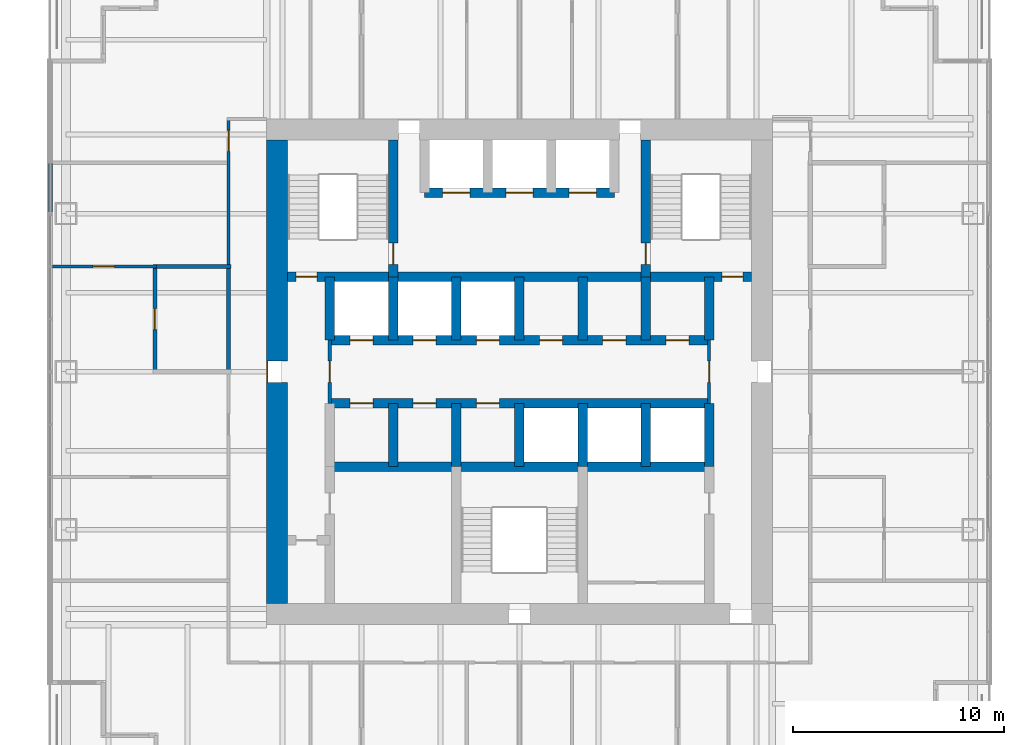
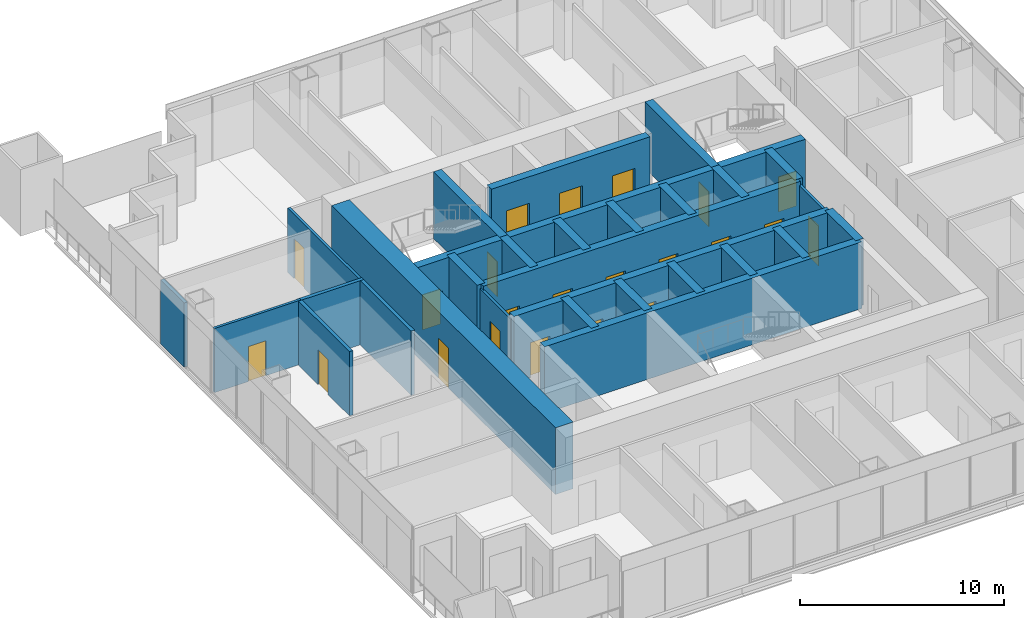
# One storey, part 9 of 13: 29 walls, 22 doors, 22 openings.
"""IFC4 building model written with IfcOpenShell, lengths in metres."""

from ifc_helpers import new_model, si_unit, direction, frame, frame_2d, origin, place, context, subcontext, project, spatial, rectangle, extrude, material, layer, layer_set, type_object, element, fill, save


model = new_model("IFC4")

# Units and contexts
model_context = context("Model", 3, precision=1e-05, world=origin(), true_north=direction((0.0, 1.0)))
body_context = subcontext(model_context, "Body", "Model", "MODEL_VIEW")
ifc_project = project(units=[si_unit("LENGTHUNIT", "METRE"), si_unit("AREAUNIT", "SQUARE_METRE"), si_unit("VOLUMEUNIT", "CUBIC_METRE"), si_unit("PLANEANGLEUNIT", "RADIAN"), si_unit("MASSUNIT", "GRAM", prefix="KILO")], contexts=[model_context])

# Site, building, storey
site_placement = place(None, origin())
site = spatial("IfcSite", under=ifc_project, at=site_placement, CompositionType="ELEMENT")
building_placement = place(site_placement, origin())
building = spatial("IfcBuilding", under=site, at=building_placement, Name="Tarangal Relay Tower", CompositionType="ELEMENT")
storey_placement = place(building_placement, frame((0.0, 0.0, 185.89990234375)))
storey = spatial("IfcBuildingStorey", under=building, at=storey_placement, Name="L38", CompositionType="ELEMENT", Elevation=185.89990234375)

# Wall
ifc_material_1 = material(Name="Two layers gypsum board each side on twin steel studs, mineral wool", Category="steel")
ifc_layer_1 = layer(ifc_material_1, 0.199951171875)
ifc_layer_set_1 = layer_set([ifc_layer_1], Name="Acoustic partition 200")
wall_type_1 = type_object("IfcWallType", Name="Acoustic partition 200", PredefinedType="PARTITIONING", material=ifc_layer_set_1)
wall_1_placement = place(storey_placement, frame((-17.39990234375, 5.0, 0.0), z_axis=(0.0, 0.0, 1.0), x_axis=(1.0, 0.0, 0.0)))
element("IfcWall", 1, at=wall_1_placement, inside=storey, type_object=wall_type_1, Name="Partition PT2 L38", PredefinedType="PARTITIONING", context=body_context, shape_type="SweptSolid", body=[
    extrude(rectangle(XDim=3.699951171875, YDim=0.199951171875, at=frame_2d((1.85009765625, 0.0))), origin(), (0.0, 0.0, 1.0), 3.85009765625),
])

# Wall, opening, door
wall_2_placement = place(storey_placement, frame((-17.300048828125, -0.10009765625, 0.0), z_axis=(0.0, 0.0, 1.0), x_axis=(0.0, 1.0, 0.0)))
wall_2 = element("IfcWall", 2, at=wall_2_placement, inside=storey, type_object=wall_type_1, Name="Partition PT2 L38", PredefinedType="PARTITIONING", context=body_context, shape_type="SweptSolid", body=[
    extrude(rectangle(XDim=5.2001953125, YDim=0.199951171875, at=frame_2d((2.60009765625, 0.0))), origin(), (0.0, 0.0, 1.0), 3.85009765625),
])
opening_1_placement = place(wall_2_placement, frame((2.10009765625, 0.0, 0.0)))
opening_1 = element("IfcOpeningElement", 3, at=opening_1_placement, cuts=wall_2, Name="Opening D2", PredefinedType="OPENING", context=body_context, shape_type="SweptSolid", body=[
    extrude(rectangle(XDim=1.0, YDim=2.10009765625, at=frame_2d((0.5, 1.050048828125))), frame((0.0, 0.10986328125, 0.0), z_axis=(0.0, -1.0, 0.0), x_axis=(1.0, 0.0, 0.0)), (0.0, 0.0, 1.0), 0.219970703125),
])
ifc_material_2 = material(Name="Hardwood door", Category="wood")
door_type_1 = type_object("IfcDoorType", Name="Door 1000 x 2100", OperationType="SINGLE_SWING_LEFT", PredefinedType="DOOR", material=ifc_material_2)
door_1_placement = place(opening_1_placement, origin())
door_1 = element("IfcDoor", 4, at=door_1_placement, inside=storey, type_object=door_type_1, Name="Door D2 to meeting room L38-20", OperationType="SINGLE_SWING_LEFT", OverallHeight=2.10009765625, OverallWidth=1.0, PredefinedType="DOOR", context=body_context, shape_type="SweptSolid", body=[
    extrude(rectangle(XDim=1.0, YDim=2.10009765625, at=frame_2d((0.5, 1.050048828125))), frame((0.0, 0.02490234375, 0.0), z_axis=(0.0, -1.0, 0.0), x_axis=(1.0, 0.0, 0.0)), (0.0, 0.0, 1.0), 0.050048828125),
])
fill(opening_1, door_1)

# Wall
wall_3_placement = place(storey_placement, frame((-13.800048828125, -0.10009765625, 0.0), z_axis=(0.0, 0.0, 1.0), x_axis=(0.0, 1.0, 0.0)))
element("IfcWall", 5, at=wall_3_placement, inside=storey, type_object=wall_type_1, Name="Partition PT2 L38", PredefinedType="PARTITIONING", context=body_context, shape_type="SweptSolid", body=[
    extrude(rectangle(XDim=5.2001953125, YDim=0.199951171875, at=frame_2d((2.60009765625, 0.0))), origin(), (0.0, 0.0, 1.0), 3.85009765625),
])

# Wall, openings, doors
ifc_material_3 = material(Name="Concrete fc' 60 MPa", Category="concrete")
ifc_layer_2 = layer(ifc_material_3, 0.449951171875)
ifc_layer_set_2 = layer_set([ifc_layer_2], Name="Core inner wall 450")
wall_type_2 = type_object("IfcWallType", Name="Core inner wall 450", PredefinedType="SHEAR", material=ifc_layer_set_2)
wall_4_placement = place(storey_placement, frame((-11.0, 4.5, 0.0), z_axis=(0.0, 0.0, 1.0), x_axis=(1.0, 0.0, 0.0)))
wall_4 = element("IfcWall", 6, at=wall_4_placement, inside=storey, type_object=wall_type_2, Name="Core wall Y45 L38", PredefinedType="SHEAR", context=body_context, shape_type="SweptSolid", body=[
    extrude(rectangle(XDim=22.0, YDim=0.449951171875, at=frame_2d((11.0, 0.0))), origin(), (0.0, 0.0, 1.0), 4.0),
])
opening_2_placement = place(wall_4_placement, frame((0.39990234375, 0.0, 0.0)))
opening_2 = element("IfcOpeningElement", 7, at=opening_2_placement, cuts=wall_4, Name="Opening FD1", PredefinedType="OPENING", context=body_context, shape_type="SweptSolid", body=[
    extrude(rectangle(XDim=1.0, YDim=2.10009765625, at=frame_2d((0.5, 1.050048828125))), frame((0.0, 0.23486328125, 0.0), z_axis=(0.0, -1.0, 0.0), x_axis=(1.0, 0.0, 0.0)), (0.0, 0.0, 1.0), 0.469970703125),
])
opening_3_placement = place(wall_4_placement, frame((20.60009765625, 0.0, 0.0)))
opening_3 = element("IfcOpeningElement", 8, at=opening_3_placement, cuts=wall_4, Name="Opening FD1", PredefinedType="OPENING", context=body_context, shape_type="SweptSolid", body=[
    extrude(rectangle(XDim=1.0, YDim=2.10009765625, at=frame_2d((0.5, 1.050048828125))), frame((0.0, 0.23486328125, 0.0), z_axis=(0.0, -1.0, 0.0), x_axis=(1.0, 0.0, 0.0)), (0.0, 0.0, 1.0), 0.469970703125),
])
ifc_material_4 = material(Name="Steel door with hardwood frame", Category="steel")
door_type_2 = type_object("IfcDoorType", Name="Fire door 1000 x 2100", OperationType="SINGLE_SWING_LEFT", PredefinedType="DOOR", material=ifc_material_4)
door_2_placement = place(opening_2_placement, origin())
door_2 = element("IfcDoor", 9, at=door_2_placement, inside=storey, type_object=door_type_2, Name="Stair ST-A door from corridor L38", OperationType="SINGLE_SWING_LEFT", OverallHeight=2.10009765625, OverallWidth=1.0, PredefinedType="DOOR", context=body_context, shape_type="SweptSolid", body=[
    extrude(rectangle(XDim=1.0, YDim=2.10009765625, at=frame_2d((0.5, 1.050048828125))), frame((0.0, 0.02490234375, 0.0), z_axis=(0.0, -1.0, 0.0), x_axis=(1.0, 0.0, 0.0)), (0.0, 0.0, 1.0), 0.050048828125),
])
fill(opening_2, door_2)
door_3_placement = place(opening_3_placement, origin())
door_3 = element("IfcDoor", 10, at=door_3_placement, inside=storey, type_object=door_type_2, Name="Stair ST-B door from corridor L38", OperationType="SINGLE_SWING_LEFT", OverallHeight=2.10009765625, OverallWidth=1.0, PredefinedType="DOOR", context=body_context, shape_type="SweptSolid", body=[
    extrude(rectangle(XDim=1.0, YDim=2.10009765625, at=frame_2d((0.5, 1.050048828125))), frame((0.0, 0.02490234375, 0.0), z_axis=(0.0, -1.0, 0.0), x_axis=(1.0, 0.0, 0.0)), (0.0, 0.0, 1.0), 0.050048828125),
])
fill(opening_3, door_3)

wall_5_placement = place(storey_placement, frame((-9.0, 1.5, 0.0), z_axis=(0.0, 0.0, 1.0), x_axis=(1.0, 0.0, 0.0)))
wall_5 = element("IfcWall", 11, at=wall_5_placement, inside=storey, type_object=wall_type_2, Name="Core wall Y15 L38", PredefinedType="SHEAR", context=body_context, shape_type="SweptSolid", body=[
    extrude(rectangle(XDim=18.0, YDim=0.449951171875, at=frame_2d((9.0, 0.0))), origin(), (0.0, 0.0, 1.0), 4.0),
])
opening_4_placement = place(wall_5_placement, frame((0.949951171875, 0.0, 0.0)))
opening_4 = element("IfcOpeningElement", 12, at=opening_4_placement, cuts=wall_5, Name="Opening LD1", PredefinedType="OPENING", context=body_context, shape_type="SweptSolid", body=[
    extrude(rectangle(XDim=1.10009765625, YDim=2.10009765625, at=frame_2d((0.550048828125, 1.050048828125))), frame((0.0, 0.23486328125, 0.0), z_axis=(0.0, -1.0, 0.0), x_axis=(1.0, 0.0, 0.0)), (0.0, 0.0, 1.0), 0.469970703125),
])
opening_5_placement = place(wall_5_placement, frame((3.949951171875, 0.0, 0.0)))
opening_5 = element("IfcOpeningElement", 13, at=opening_5_placement, cuts=wall_5, Name="Opening LD1", PredefinedType="OPENING", context=body_context, shape_type="SweptSolid", body=[
    extrude(rectangle(XDim=1.10009765625, YDim=2.10009765625, at=frame_2d((0.550048828125, 1.050048828125))), frame((0.0, 0.23486328125, 0.0), z_axis=(0.0, -1.0, 0.0), x_axis=(1.0, 0.0, 0.0)), (0.0, 0.0, 1.0), 0.469970703125),
])
opening_6_placement = place(wall_5_placement, frame((6.949951171875, 0.0, 0.0)))
opening_6 = element("IfcOpeningElement", 14, at=opening_6_placement, cuts=wall_5, Name="Opening LD1", PredefinedType="OPENING", context=body_context, shape_type="SweptSolid", body=[
    extrude(rectangle(XDim=1.10009765625, YDim=2.10009765625, at=frame_2d((0.550048828125, 1.050048828125))), frame((0.0, 0.23486328125, 0.0), z_axis=(0.0, -1.0, 0.0), x_axis=(1.0, 0.0, 0.0)), (0.0, 0.0, 1.0), 0.469970703125),
])
opening_7_placement = place(wall_5_placement, frame((9.949951171875, 0.0, 0.0)))
opening_7 = element("IfcOpeningElement", 15, at=opening_7_placement, cuts=wall_5, Name="Opening D4", PredefinedType="OPENING", context=body_context, shape_type="SweptSolid", body=[
    extrude(rectangle(XDim=1.10009765625, YDim=2.10009765625, at=frame_2d((0.550048828125, 1.050048828125))), frame((0.0, 0.23486328125, 0.0), z_axis=(0.0, -1.0, 0.0), x_axis=(1.0, 0.0, 0.0)), (0.0, 0.0, 1.0), 0.469970703125),
])
opening_8_placement = place(wall_5_placement, frame((12.949951171875, 0.0, 0.0)))
opening_8 = element("IfcOpeningElement", 16, at=opening_8_placement, cuts=wall_5, Name="Opening D4", PredefinedType="OPENING", context=body_context, shape_type="SweptSolid", body=[
    extrude(rectangle(XDim=1.10009765625, YDim=2.10009765625, at=frame_2d((0.550048828125, 1.050048828125))), frame((0.0, 0.23486328125, 0.0), z_axis=(0.0, -1.0, 0.0), x_axis=(1.0, 0.0, 0.0)), (0.0, 0.0, 1.0), 0.469970703125),
])
opening_9_placement = place(wall_5_placement, frame((15.949951171875, 0.0, 0.0)))
opening_9 = element("IfcOpeningElement", 17, at=opening_9_placement, cuts=wall_5, Name="Opening D4", PredefinedType="OPENING", context=body_context, shape_type="SweptSolid", body=[
    extrude(rectangle(XDim=1.10009765625, YDim=2.10009765625, at=frame_2d((0.550048828125, 1.050048828125))), frame((0.0, 0.23486328125, 0.0), z_axis=(0.0, -1.0, 0.0), x_axis=(1.0, 0.0, 0.0)), (0.0, 0.0, 1.0), 0.469970703125),
])
door_type_3 = type_object("IfcDoorType", Name="Core room door 1100 x 2100", OperationType="SINGLE_SWING_RIGHT", PredefinedType="DOOR", material=ifc_material_4)
door_4_placement = place(opening_7_placement, origin())
door_4 = element("IfcDoor", 18, at=door_4_placement, inside=storey, type_object=door_type_3, Name="Door D4 to staff pantry L38-T1", OperationType="SINGLE_SWING_RIGHT", OverallHeight=2.10009765625, OverallWidth=1.10009765625, PredefinedType="DOOR", context=body_context, shape_type="SweptSolid", body=[
    extrude(rectangle(XDim=1.10009765625, YDim=2.10009765625, at=frame_2d((0.550048828125, 1.050048828125))), frame((0.0, 0.02490234375, 0.0), z_axis=(0.0, -1.0, 0.0), x_axis=(1.0, 0.0, 0.0)), (0.0, 0.0, 1.0), 0.050048828125),
])
fill(opening_7, door_4)
door_5_placement = place(opening_8_placement, origin())
door_5 = element("IfcDoor", 19, at=door_5_placement, inside=storey, type_object=door_type_3, Name="Door D4 to it room L38-T2", OperationType="SINGLE_SWING_RIGHT", OverallHeight=2.10009765625, OverallWidth=1.10009765625, PredefinedType="DOOR", context=body_context, shape_type="SweptSolid", body=[
    extrude(rectangle(XDim=1.10009765625, YDim=2.10009765625, at=frame_2d((0.550048828125, 1.050048828125))), frame((0.0, 0.02490234375, 0.0), z_axis=(0.0, -1.0, 0.0), x_axis=(1.0, 0.0, 0.0)), (0.0, 0.0, 1.0), 0.050048828125),
])
fill(opening_8, door_5)
door_6_placement = place(opening_9_placement, origin())
door_6 = element("IfcDoor", 20, at=door_6_placement, inside=storey, type_object=door_type_3, Name="Door D4 to cleaner's store L38-T3", OperationType="SINGLE_SWING_RIGHT", OverallHeight=2.10009765625, OverallWidth=1.10009765625, PredefinedType="DOOR", context=body_context, shape_type="SweptSolid", body=[
    extrude(rectangle(XDim=1.10009765625, YDim=2.10009765625, at=frame_2d((0.550048828125, 1.050048828125))), frame((0.0, 0.02490234375, 0.0), z_axis=(0.0, -1.0, 0.0), x_axis=(1.0, 0.0, 0.0)), (0.0, 0.0, 1.0), 0.050048828125),
])
fill(opening_9, door_6)
door_type_4 = type_object("IfcDoorType", Name="Lift landing door 1100 x 2100", OperationType="SLIDING_TO_LEFT", PredefinedType="DOOR", material=ifc_material_4)
door_7_placement = place(opening_4_placement, origin())
door_7 = element("IfcDoor", 21, at=door_7_placement, inside=storey, type_object=door_type_4, Name="Lift OL1 landing door L38", OperationType="SLIDING_TO_LEFT", OverallHeight=2.10009765625, OverallWidth=1.10009765625, PredefinedType="DOOR", context=body_context, shape_type="SweptSolid", body=[
    extrude(rectangle(XDim=1.10009765625, YDim=2.10009765625, at=frame_2d((0.550048828125, 1.050048828125))), frame((0.0, 0.02490234375, 0.0), z_axis=(0.0, -1.0, 0.0), x_axis=(1.0, 0.0, 0.0)), (0.0, 0.0, 1.0), 0.050048828125),
])
fill(opening_4, door_7)
door_8_placement = place(opening_5_placement, origin())
door_8 = element("IfcDoor", 22, at=door_8_placement, inside=storey, type_object=door_type_4, Name="Lift OL2 landing door L38", OperationType="SLIDING_TO_LEFT", OverallHeight=2.10009765625, OverallWidth=1.10009765625, PredefinedType="DOOR", context=body_context, shape_type="SweptSolid", body=[
    extrude(rectangle(XDim=1.10009765625, YDim=2.10009765625, at=frame_2d((0.550048828125, 1.050048828125))), frame((0.0, 0.02490234375, 0.0), z_axis=(0.0, -1.0, 0.0), x_axis=(1.0, 0.0, 0.0)), (0.0, 0.0, 1.0), 0.050048828125),
])
fill(opening_5, door_8)
door_9_placement = place(opening_6_placement, origin())
door_9 = element("IfcDoor", 23, at=door_9_placement, inside=storey, type_object=door_type_4, Name="Lift OL3 landing door L38", OperationType="SLIDING_TO_LEFT", OverallHeight=2.10009765625, OverallWidth=1.10009765625, PredefinedType="DOOR", context=body_context, shape_type="SweptSolid", body=[
    extrude(rectangle(XDim=1.10009765625, YDim=2.10009765625, at=frame_2d((0.550048828125, 1.050048828125))), frame((0.0, 0.02490234375, 0.0), z_axis=(0.0, -1.0, 0.0), x_axis=(1.0, 0.0, 0.0)), (0.0, 0.0, 1.0), 0.050048828125),
])
fill(opening_6, door_9)

wall_6_placement = place(storey_placement, frame((-9.0, -1.5, 0.0), z_axis=(0.0, 0.0, 1.0), x_axis=(1.0, 0.0, 0.0)))
wall_6 = element("IfcWall", 24, at=wall_6_placement, inside=storey, type_object=wall_type_2, Name="Core wall YM15 L38", PredefinedType="SHEAR", context=body_context, shape_type="SweptSolid", body=[
    extrude(rectangle(XDim=18.0, YDim=0.449951171875, at=frame_2d((9.0, 0.0))), origin(), (0.0, 0.0, 1.0), 4.0),
])
opening_10_placement = place(wall_6_placement, frame((0.949951171875, 0.0, 0.0)))
opening_10 = element("IfcOpeningElement", 25, at=opening_10_placement, cuts=wall_6, Name="Opening D4", PredefinedType="OPENING", context=body_context, shape_type="SweptSolid", body=[
    extrude(rectangle(XDim=1.10009765625, YDim=2.10009765625, at=frame_2d((0.550048828125, 1.050048828125))), frame((0.0, 0.23486328125, 0.0), z_axis=(0.0, -1.0, 0.0), x_axis=(1.0, 0.0, 0.0)), (0.0, 0.0, 1.0), 0.469970703125),
])
opening_11_placement = place(wall_6_placement, frame((3.949951171875, 0.0, 0.0)))
opening_11 = element("IfcOpeningElement", 26, at=opening_11_placement, cuts=wall_6, Name="Opening D4", PredefinedType="OPENING", context=body_context, shape_type="SweptSolid", body=[
    extrude(rectangle(XDim=1.10009765625, YDim=2.10009765625, at=frame_2d((0.550048828125, 1.050048828125))), frame((0.0, 0.23486328125, 0.0), z_axis=(0.0, -1.0, 0.0), x_axis=(1.0, 0.0, 0.0)), (0.0, 0.0, 1.0), 0.469970703125),
])
opening_12_placement = place(wall_6_placement, frame((6.949951171875, 0.0, 0.0)))
opening_12 = element("IfcOpeningElement", 27, at=opening_12_placement, cuts=wall_6, Name="Opening D4", PredefinedType="OPENING", context=body_context, shape_type="SweptSolid", body=[
    extrude(rectangle(XDim=1.10009765625, YDim=2.10009765625, at=frame_2d((0.550048828125, 1.050048828125))), frame((0.0, 0.23486328125, 0.0), z_axis=(0.0, -1.0, 0.0), x_axis=(1.0, 0.0, 0.0)), (0.0, 0.0, 1.0), 0.469970703125),
])
door_10_placement = place(opening_10_placement, origin())
door_10 = element("IfcDoor", 28, at=door_10_placement, inside=storey, type_object=door_type_3, Name="Door D4 to staff wc L38-S1", OperationType="SINGLE_SWING_RIGHT", OverallHeight=2.10009765625, OverallWidth=1.10009765625, PredefinedType="DOOR", context=body_context, shape_type="SweptSolid", body=[
    extrude(rectangle(XDim=1.10009765625, YDim=2.10009765625, at=frame_2d((0.550048828125, 1.050048828125))), frame((0.0, 0.02490234375, 0.0), z_axis=(0.0, -1.0, 0.0), x_axis=(1.0, 0.0, 0.0)), (0.0, 0.0, 1.0), 0.050048828125),
])
fill(opening_10, door_10)
door_11_placement = place(opening_11_placement, origin())
door_11 = element("IfcDoor", 29, at=door_11_placement, inside=storey, type_object=door_type_3, Name="Door D4 to staff pantry L38-S2", OperationType="SINGLE_SWING_RIGHT", OverallHeight=2.10009765625, OverallWidth=1.10009765625, PredefinedType="DOOR", context=body_context, shape_type="SweptSolid", body=[
    extrude(rectangle(XDim=1.10009765625, YDim=2.10009765625, at=frame_2d((0.550048828125, 1.050048828125))), frame((0.0, 0.02490234375, 0.0), z_axis=(0.0, -1.0, 0.0), x_axis=(1.0, 0.0, 0.0)), (0.0, 0.0, 1.0), 0.050048828125),
])
fill(opening_11, door_11)
door_12_placement = place(opening_12_placement, origin())
door_12 = element("IfcDoor", 30, at=door_12_placement, inside=storey, type_object=door_type_3, Name="Door D4 to it room L38-S3", OperationType="SINGLE_SWING_RIGHT", OverallHeight=2.10009765625, OverallWidth=1.10009765625, PredefinedType="DOOR", context=body_context, shape_type="SweptSolid", body=[
    extrude(rectangle(XDim=1.10009765625, YDim=2.10009765625, at=frame_2d((0.550048828125, 1.050048828125))), frame((0.0, 0.02490234375, 0.0), z_axis=(0.0, -1.0, 0.0), x_axis=(1.0, 0.0, 0.0)), (0.0, 0.0, 1.0), 0.050048828125),
])
fill(opening_12, door_12)

# Wall
wall_7_placement = place(storey_placement, frame((-9.0, -4.5, 0.0), z_axis=(0.0, 0.0, 1.0), x_axis=(1.0, 0.0, 0.0)))
element("IfcWall", 31, at=wall_7_placement, inside=storey, type_object=wall_type_2, Name="Core wall YM45 L38", PredefinedType="SHEAR", context=body_context, shape_type="SweptSolid", body=[
    extrude(rectangle(XDim=18.0, YDim=0.449951171875, at=frame_2d((9.0, 0.0))), origin(), (0.0, 0.0, 1.0), 4.0),
])

# Wall, openings, doors
wall_8_placement = place(storey_placement, frame((-4.5, 8.5, 0.0), z_axis=(0.0, 0.0, 1.0), x_axis=(1.0, 0.0, 0.0)))
wall_8 = element("IfcWall", 32, at=wall_8_placement, inside=storey, type_object=wall_type_2, Name="Core wall Y85 L38", PredefinedType="SHEAR", context=body_context, shape_type="SweptSolid", body=[
    extrude(rectangle(XDim=9.0, YDim=0.449951171875, at=frame_2d((4.5, 0.0))), origin(), (0.0, 0.0, 1.0), 4.0),
])
opening_13_placement = place(wall_8_placement, frame((0.85009765625, 0.0, 0.0)))
opening_13 = element("IfcOpeningElement", 33, at=opening_13_placement, cuts=wall_8, Name="Opening LD2", PredefinedType="OPENING", context=body_context, shape_type="SweptSolid", body=[
    extrude(rectangle(XDim=1.300048828125, YDim=2.39990234375, at=frame_2d((0.64990234375, 1.199951171875))), frame((0.0, 0.23486328125, 0.0), z_axis=(0.0, -1.0, 0.0), x_axis=(1.0, 0.0, 0.0)), (0.0, 0.0, 1.0), 0.469970703125),
])
opening_14_placement = place(wall_8_placement, frame((6.85009765625, 0.0, 0.0)))
opening_14 = element("IfcOpeningElement", 34, at=opening_14_placement, cuts=wall_8, Name="Opening LD2", PredefinedType="OPENING", context=body_context, shape_type="SweptSolid", body=[
    extrude(rectangle(XDim=1.300048828125, YDim=2.39990234375, at=frame_2d((0.64990234375, 1.199951171875))), frame((0.0, 0.23486328125, 0.0), z_axis=(0.0, -1.0, 0.0), x_axis=(1.0, 0.0, 0.0)), (0.0, 0.0, 1.0), 0.469970703125),
])
opening_15_placement = place(wall_8_placement, frame((3.85009765625, 0.0, 0.0)))
opening_15 = element("IfcOpeningElement", 35, at=opening_15_placement, cuts=wall_8, Name="Opening LD2", PredefinedType="OPENING", context=body_context, shape_type="SweptSolid", body=[
    extrude(rectangle(XDim=1.300048828125, YDim=2.39990234375, at=frame_2d((0.64990234375, 1.199951171875))), frame((0.0, 0.23486328125, 0.0), z_axis=(0.0, -1.0, 0.0), x_axis=(1.0, 0.0, 0.0)), (0.0, 0.0, 1.0), 0.469970703125),
])
door_type_5 = type_object("IfcDoorType", Name="Lift landing door 1300 x 2400", OperationType="SLIDING_TO_LEFT", PredefinedType="DOOR", material=ifc_material_4)
door_13_placement = place(opening_13_placement, origin())
door_13 = element("IfcDoor", 36, at=door_13_placement, inside=storey, type_object=door_type_5, Name="Lift FF1 landing door L38", OperationType="SLIDING_TO_LEFT", OverallHeight=2.39990234375, OverallWidth=1.300048828125, PredefinedType="DOOR", context=body_context, shape_type="SweptSolid", body=[
    extrude(rectangle(XDim=1.300048828125, YDim=2.39990234375, at=frame_2d((0.64990234375, 1.199951171875))), frame((0.0, 0.02490234375, 0.0), z_axis=(0.0, -1.0, 0.0), x_axis=(1.0, 0.0, 0.0)), (0.0, 0.0, 1.0), 0.050048828125),
])
fill(opening_13, door_13)
door_14_placement = place(opening_14_placement, origin())
door_14 = element("IfcDoor", 37, at=door_14_placement, inside=storey, type_object=door_type_5, Name="Lift FF2 landing door L38", OperationType="SLIDING_TO_LEFT", OverallHeight=2.39990234375, OverallWidth=1.300048828125, PredefinedType="DOOR", context=body_context, shape_type="SweptSolid", body=[
    extrude(rectangle(XDim=1.300048828125, YDim=2.39990234375, at=frame_2d((0.64990234375, 1.199951171875))), frame((0.0, 0.02490234375, 0.0), z_axis=(0.0, -1.0, 0.0), x_axis=(1.0, 0.0, 0.0)), (0.0, 0.0, 1.0), 0.050048828125),
])
fill(opening_14, door_14)
door_15_placement = place(opening_15_placement, origin())
door_15 = element("IfcDoor", 38, at=door_15_placement, inside=storey, type_object=door_type_5, Name="Lift SV1 landing door L38", OperationType="SLIDING_TO_LEFT", OverallHeight=2.39990234375, OverallWidth=1.300048828125, PredefinedType="DOOR", context=body_context, shape_type="SweptSolid", body=[
    extrude(rectangle(XDim=1.300048828125, YDim=2.39990234375, at=frame_2d((0.64990234375, 1.199951171875))), frame((0.0, 0.02490234375, 0.0), z_axis=(0.0, -1.0, 0.0), x_axis=(1.0, 0.0, 0.0)), (0.0, 0.0, 1.0), 0.050048828125),
])
fill(opening_15, door_15)

# Walls
for number, where, z_axis, x_axis, name in (
    (39, (-9.0, 1.5, 0.0), (0.0, 0.0, 1.0), (0.0, 1.0, 0.0), "Core wall XM9N L38"),
    (40, (9.0, 1.5, 0.0), (0.0, 0.0, 1.0), (0.0, 1.0, 0.0), "Core wall X9N L38"),
    (41, (9.0, -4.5, 0.0), (0.0, 0.0, 1.0), (0.0, 1.0, 0.0), "Core wall X9S L38"),
    (42, (-6.0, 1.5, 0.0), (0.0, 0.0, 1.0), (0.0, 1.0, 0.0), "Core wall XM6N L38"),
    (43, (-3.0, 1.5, 0.0), (0.0, 0.0, 1.0), (0.0, 1.0, 0.0), "Core wall XM3N L38"),
    (44, (0.0, 1.5, 0.0), (0.0, 0.0, 1.0), (0.0, 1.0, 0.0), "Core wall X0N L38"),
    (45, (3.0, 1.5, 0.0), (0.0, 0.0, 1.0), (0.0, 1.0, 0.0), "Core wall X3N L38"),
    (46, (6.0, 1.5, 0.0), (0.0, 0.0, 1.0), (0.0, 1.0, 0.0), "Core wall X6N L38"),
    (47, (-6.0, -4.5, 0.0), (0.0, 0.0, 1.0), (0.0, 1.0, 0.0), "Core wall XM6S L38"),
    (48, (-3.0, -4.5, 0.0), (0.0, 0.0, 1.0), (0.0, 1.0, 0.0), "Core wall XM3S L38"),
    (49, (0.0, -4.5, 0.0), (0.0, 0.0, 1.0), (0.0, 1.0, 0.0), "Core wall X0S L38"),
    (50, (3.0, -4.5, 0.0), (0.0, 0.0, 1.0), (0.0, 1.0, 0.0), "Core wall X3S L38"),
    (51, (6.0, -4.5, 0.0), (0.0, 0.0, 1.0), (0.0, 1.0, 0.0), "Core wall X6S L38"),
):
    element("IfcWall", number, at=place(storey_placement, frame(where, z_axis=z_axis, x_axis=x_axis)), inside=storey, type_object=wall_type_2, Name=name, PredefinedType="SHEAR", context=body_context, shape_type="SweptSolid", body=[
        extrude(rectangle(XDim=3.0, YDim=0.449951171875, at=frame_2d((1.5, 0.0))), origin(), (0.0, 0.0, 1.0), 4.0),
    ])

# Wall, opening, door
wall_9_placement = place(storey_placement, frame((-6.0, 4.5, 0.0), z_axis=(0.0, 0.0, 1.0), x_axis=(0.0, 1.0, 0.0)))
wall_9 = element("IfcWall", 52, at=wall_9_placement, inside=storey, type_object=wall_type_2, Name="Core wall XM6 L38", PredefinedType="SHEAR", context=body_context, shape_type="SweptSolid", body=[
    extrude(rectangle(XDim=6.5, YDim=0.449951171875, at=frame_2d((3.25, 0.0))), origin(), (0.0, 0.0, 1.0), 4.0),
])
opening_16_placement = place(wall_9_placement, frame((0.60009765625, 0.0, 0.0)))
opening_16 = element("IfcOpeningElement", 53, at=opening_16_placement, cuts=wall_9, Name="Opening FD1", PredefinedType="OPENING", context=body_context, shape_type="SweptSolid", body=[
    extrude(rectangle(XDim=1.0, YDim=2.10009765625, at=frame_2d((0.5, 1.050048828125))), frame((0.0, 0.23486328125, 0.0), z_axis=(0.0, -1.0, 0.0), x_axis=(1.0, 0.0, 0.0)), (0.0, 0.0, 1.0), 0.469970703125),
])
door_16_placement = place(opening_16_placement, origin())
door_16 = element("IfcDoor", 54, at=door_16_placement, inside=storey, type_object=door_type_2, Name="Stair ST-A door from fire-fighting lobby L38", OperationType="SINGLE_SWING_LEFT", OverallHeight=2.10009765625, OverallWidth=1.0, PredefinedType="DOOR", context=body_context, shape_type="SweptSolid", body=[
    extrude(rectangle(XDim=1.0, YDim=2.10009765625, at=frame_2d((0.5, 1.050048828125))), frame((0.0, 0.02490234375, 0.0), z_axis=(0.0, -1.0, 0.0), x_axis=(1.0, 0.0, 0.0)), (0.0, 0.0, 1.0), 0.050048828125),
])
fill(opening_16, door_16)

wall_10_placement = place(storey_placement, frame((6.0, 4.5, 0.0), z_axis=(0.0, 0.0, 1.0), x_axis=(0.0, 1.0, 0.0)))
wall_10 = element("IfcWall", 55, at=wall_10_placement, inside=storey, type_object=wall_type_2, Name="Core wall X6 L38", PredefinedType="SHEAR", context=body_context, shape_type="SweptSolid", body=[
    extrude(rectangle(XDim=6.5, YDim=0.449951171875, at=frame_2d((3.25, 0.0))), origin(), (0.0, 0.0, 1.0), 4.0),
])
opening_17_placement = place(wall_10_placement, frame((0.60009765625, 0.0, 0.0)))
opening_17 = element("IfcOpeningElement", 56, at=opening_17_placement, cuts=wall_10, Name="Opening FD1", PredefinedType="OPENING", context=body_context, shape_type="SweptSolid", body=[
    extrude(rectangle(XDim=1.0, YDim=2.10009765625, at=frame_2d((0.5, 1.050048828125))), frame((0.0, 0.23486328125, 0.0), z_axis=(0.0, -1.0, 0.0), x_axis=(1.0, 0.0, 0.0)), (0.0, 0.0, 1.0), 0.469970703125),
])
door_17_placement = place(opening_17_placement, origin())
door_17 = element("IfcDoor", 57, at=door_17_placement, inside=storey, type_object=door_type_2, Name="Stair ST-B door from fire-fighting lobby L38", OperationType="SINGLE_SWING_LEFT", OverallHeight=2.10009765625, OverallWidth=1.0, PredefinedType="DOOR", context=body_context, shape_type="SweptSolid", body=[
    extrude(rectangle(XDim=1.0, YDim=2.10009765625, at=frame_2d((0.5, 1.050048828125))), frame((0.0, 0.02490234375, 0.0), z_axis=(0.0, -1.0, 0.0), x_axis=(1.0, 0.0, 0.0)), (0.0, 0.0, 1.0), 0.050048828125),
])
fill(opening_17, door_17)

ifc_layer_3 = layer(ifc_material_3, 1.0)
ifc_layer_set_3 = layer_set([ifc_layer_3], Name="Core wall 1000")
wall_type_3 = type_object("IfcWallType", Name="Core wall 1000", PredefinedType="SHEAR", material=ifc_layer_set_3)
wall_11_placement = place(storey_placement, frame((-11.5, -11.0, 0.0), z_axis=(0.0, 0.0, 1.0), x_axis=(0.0, 1.0, 0.0)))
wall_11 = element("IfcWall", 58, at=wall_11_placement, inside=storey, type_object=wall_type_3, Name="Core wall W L38", PredefinedType="SHEAR", context=body_context, shape_type="SweptSolid", body=[
    extrude(rectangle(XDim=22.0, YDim=1.0, at=frame_2d((11.0, 0.0))), origin(), (0.0, 0.0, 1.0), 4.0),
])
opening_18_placement = place(wall_11_placement, frame((10.5, 0.0, 0.0)))
opening_18 = element("IfcOpeningElement", 59, at=opening_18_placement, cuts=wall_11, Name="Opening FD3", PredefinedType="OPENING", context=body_context, shape_type="SweptSolid", body=[
    extrude(rectangle(XDim=1.0, YDim=2.39990234375, at=frame_2d((0.5, 1.199951171875))), frame((0.0, 0.510009765625, 0.0), z_axis=(0.0, -1.0, 0.0), x_axis=(1.0, 0.0, 0.0)), (0.0, 0.0, 1.0), 1.02001953125),
])
door_type_6 = type_object("IfcDoorType", Name="Fire door 1000 x 2400 core entry", OperationType="SINGLE_SWING_RIGHT", PredefinedType="DOOR", material=ifc_material_4)
door_18_placement = place(opening_18_placement, origin())
door_18 = element("IfcDoor", 60, at=door_18_placement, inside=storey, type_object=door_type_6, Name="Core entry door west L38", OperationType="SINGLE_SWING_RIGHT", OverallHeight=2.39990234375, OverallWidth=1.0, PredefinedType="DOOR", context=body_context, shape_type="SweptSolid", body=[
    extrude(rectangle(XDim=1.0, YDim=2.39990234375, at=frame_2d((0.5, 1.199951171875))), frame((0.0, 0.48486328125, 0.0), z_axis=(0.0, -1.0, 0.0), x_axis=(1.0, 0.0, 0.0)), (0.0, 0.0, 1.0), 0.050048828125),
])
fill(opening_18, door_18)

# Wall
ifc_material_5 = material(Name="Black metal clad insulated wall", Category="steel")
ifc_layer_4 = layer(ifc_material_5, 0.199951171875)
ifc_layer_set_4 = layer_set([ifc_layer_4], Name="Facade infill wall metal clad 200")
wall_type_4 = type_object("IfcWallType", Name="Facade infill wall metal clad 200", PredefinedType="SOLIDWALL", material=ifc_layer_set_4)
wall_12_placement = place(storey_placement, frame((-22.25, 7.56494140625, 0.0), z_axis=(0.0, 0.0, 1.0), x_axis=(0.0, 1.0, 0.0)))
element("IfcWall", 61, at=wall_12_placement, inside=storey, type_object=wall_type_4, Name="Facade infill wall W facade L38 1.1", PredefinedType="SOLIDWALL", context=body_context, shape_type="SweptSolid", body=[
    extrude(rectangle(XDim=2.3193359375, YDim=0.199951171875, at=frame_2d((1.15966796875, 0.0))), origin(), (0.0, 0.0, 1.0), 3.85009765625),
])

# Wall, opening, door
ifc_material_6 = material(Name="Gypsum board on steel studs", Category="steel")
ifc_layer_5 = layer(ifc_material_6, 0.14990234375)
ifc_layer_set_5 = layer_set([ifc_layer_5], Name="Partition 150")
wall_type_5 = type_object("IfcWallType", Name="Partition 150", PredefinedType="PARTITIONING", material=ifc_layer_set_5)
wall_13_placement = place(storey_placement, frame((-22.14990234375, 5.0, 0.0), z_axis=(0.0, 0.0, 1.0), x_axis=(1.0, 0.0, 0.0)))
wall_13 = element("IfcWall", 62, at=wall_13_placement, inside=storey, type_object=wall_type_5, Name="Partition PT1 L38", PredefinedType="PARTITIONING", context=body_context, shape_type="SweptSolid", body=[
    extrude(rectangle(XDim=4.9248046875, YDim=0.14990234375, at=frame_2d((2.46240234375, 0.0))), origin(), (0.0, 0.0, 1.0), 3.85009765625),
])
opening_19_placement = place(wall_13_placement, frame((1.925048828125, 0.0, 0.0)))
opening_19 = element("IfcOpeningElement", 63, at=opening_19_placement, cuts=wall_13, Name="Opening D2", PredefinedType="OPENING", context=body_context, shape_type="SweptSolid", body=[
    extrude(rectangle(XDim=1.0, YDim=2.10009765625, at=frame_2d((0.5, 1.050048828125))), frame((0.0, 0.0849609375, 0.0), z_axis=(0.0, -1.0, 0.0), x_axis=(1.0, 0.0, 0.0)), (0.0, 0.0, 1.0), 0.169921875),
])
door_19_placement = place(opening_19_placement, origin())
door_19 = element("IfcDoor", 64, at=door_19_placement, inside=storey, type_object=door_type_1, Name="Door D2 to cellular office L38-21", OperationType="SINGLE_SWING_LEFT", OverallHeight=2.10009765625, OverallWidth=1.0, PredefinedType="DOOR", context=body_context, shape_type="SweptSolid", body=[
    extrude(rectangle(XDim=1.0, YDim=2.10009765625, at=frame_2d((0.5, 1.050048828125))), frame((0.0, 0.02490234375, 0.0), z_axis=(0.0, -1.0, 0.0), x_axis=(1.0, 0.0, 0.0)), (0.0, 0.0, 1.0), 0.050048828125),
])
fill(opening_19, door_19)

wall_14_placement = place(storey_placement, frame((-13.800048828125, 4.925048828125, 0.0), z_axis=(0.0, 0.0, 1.0), x_axis=(0.0, 1.0, 0.0)))
wall_14 = element("IfcWall", 65, at=wall_14_placement, inside=storey, type_object=wall_type_5, Name="Partition PT1 L38", PredefinedType="PARTITIONING", context=body_context, shape_type="SweptSolid", body=[
    extrude(rectangle(XDim=7.14990234375, YDim=0.14990234375, at=frame_2d((3.574951171875, 0.0))), origin(), (0.0, 0.0, 1.0), 3.85009765625),
])
opening_20_placement = place(wall_14_placement, frame((5.533447265625, 0.0, 0.0)))
opening_20 = element("IfcOpeningElement", 66, at=opening_20_placement, cuts=wall_14, Name="Opening SD1", PredefinedType="OPENING", context=body_context, shape_type="SweptSolid", body=[
    extrude(rectangle(XDim=1.0, YDim=2.39990234375, at=frame_2d((0.5, 1.199951171875))), frame((0.0, 0.0849609375, 0.0), z_axis=(0.0, -1.0, 0.0), x_axis=(1.0, 0.0, 0.0)), (0.0, 0.0, 1.0), 0.169921875),
])
door_type_7 = type_object("IfcDoorType", Name="Suite entrance door 1000 x 2400", OperationType="SINGLE_SWING_RIGHT", PredefinedType="DOOR", material=ifc_material_4)
door_20_placement = place(opening_20_placement, origin())
door_20 = element("IfcDoor", 67, at=door_20_placement, inside=storey, type_object=door_type_7, Name="Door SD1 to open plan office L38-25", OperationType="SINGLE_SWING_RIGHT", OverallHeight=2.39990234375, OverallWidth=1.0, PredefinedType="DOOR", context=body_context, shape_type="SweptSolid", body=[
    extrude(rectangle(XDim=1.0, YDim=2.39990234375, at=frame_2d((0.5, 1.199951171875))), frame((0.0, 0.02490234375, 0.0), z_axis=(0.0, -1.0, 0.0), x_axis=(1.0, 0.0, 0.0)), (0.0, 0.0, 1.0), 0.050048828125),
])
fill(opening_20, door_20)

wall_15_placement = place(storey_placement, frame((-9.0, -1.5, 0.0), z_axis=(0.0, 0.0, 1.0), x_axis=(0.0, 1.0, 0.0)))
wall_15 = element("IfcWall", 68, at=wall_15_placement, inside=storey, type_object=wall_type_5, Name="Partition PT1 L38", PredefinedType="PARTITIONING", context=body_context, shape_type="SweptSolid", body=[
    extrude(rectangle(XDim=3.0, YDim=0.14990234375, at=frame_2d((1.5, 0.0))), origin(), (0.0, 0.0, 1.0), 3.75),
])
opening_21_placement = place(wall_15_placement, frame((1.0, 0.0, 0.0)))
opening_21 = element("IfcOpeningElement", 69, at=opening_21_placement, cuts=wall_15, Name="Opening FD3", PredefinedType="OPENING", context=body_context, shape_type="SweptSolid", body=[
    extrude(rectangle(XDim=1.0, YDim=2.39990234375, at=frame_2d((0.5, 1.199951171875))), frame((0.0, 0.0849609375, 0.0), z_axis=(0.0, -1.0, 0.0), x_axis=(1.0, 0.0, 0.0)), (0.0, 0.0, 1.0), 0.169921875),
])
door_21_placement = place(opening_21_placement, origin())
door_21 = element("IfcDoor", 70, at=door_21_placement, inside=storey, type_object=door_type_6, Name="Lift lobby door FD3 to the west corridor L38", OperationType="SINGLE_SWING_RIGHT", OverallHeight=2.39990234375, OverallWidth=1.0, PredefinedType="DOOR", context=body_context, shape_type="SweptSolid", body=[
    extrude(rectangle(XDim=1.0, YDim=2.39990234375, at=frame_2d((0.5, 1.199951171875))), frame((0.0, 0.02490234375, 0.0), z_axis=(0.0, -1.0, 0.0), x_axis=(1.0, 0.0, 0.0)), (0.0, 0.0, 1.0), 0.050048828125),
])
fill(opening_21, door_21)

wall_16_placement = place(storey_placement, frame((9.0, -1.5, 0.0), z_axis=(0.0, 0.0, 1.0), x_axis=(0.0, 1.0, 0.0)))
wall_16 = element("IfcWall", 71, at=wall_16_placement, inside=storey, type_object=wall_type_5, Name="Partition PT1 L38", PredefinedType="PARTITIONING", context=body_context, shape_type="SweptSolid", body=[
    extrude(rectangle(XDim=3.0, YDim=0.14990234375, at=frame_2d((1.5, 0.0))), origin(), (0.0, 0.0, 1.0), 3.75),
])
opening_22_placement = place(wall_16_placement, frame((1.0, 0.0, 0.0)))
opening_22 = element("IfcOpeningElement", 72, at=opening_22_placement, cuts=wall_16, Name="Opening FD3", PredefinedType="OPENING", context=body_context, shape_type="SweptSolid", body=[
    extrude(rectangle(XDim=1.0, YDim=2.39990234375, at=frame_2d((0.5, 1.199951171875))), frame((0.0, 0.0849609375, 0.0), z_axis=(0.0, -1.0, 0.0), x_axis=(1.0, 0.0, 0.0)), (0.0, 0.0, 1.0), 0.169921875),
])
door_22_placement = place(opening_22_placement, origin())
door_22 = element("IfcDoor", 73, at=door_22_placement, inside=storey, type_object=door_type_6, Name="Lift lobby door FD3 to the east corridor L38", OperationType="SINGLE_SWING_RIGHT", OverallHeight=2.39990234375, OverallWidth=1.0, PredefinedType="DOOR", context=body_context, shape_type="SweptSolid", body=[
    extrude(rectangle(XDim=1.0, YDim=2.39990234375, at=frame_2d((0.5, 1.199951171875))), frame((0.0, 0.02490234375, 0.0), z_axis=(0.0, -1.0, 0.0), x_axis=(1.0, 0.0, 0.0)), (0.0, 0.0, 1.0), 0.050048828125),
])
fill(opening_22, door_22)

save(model, "model.ifc")
